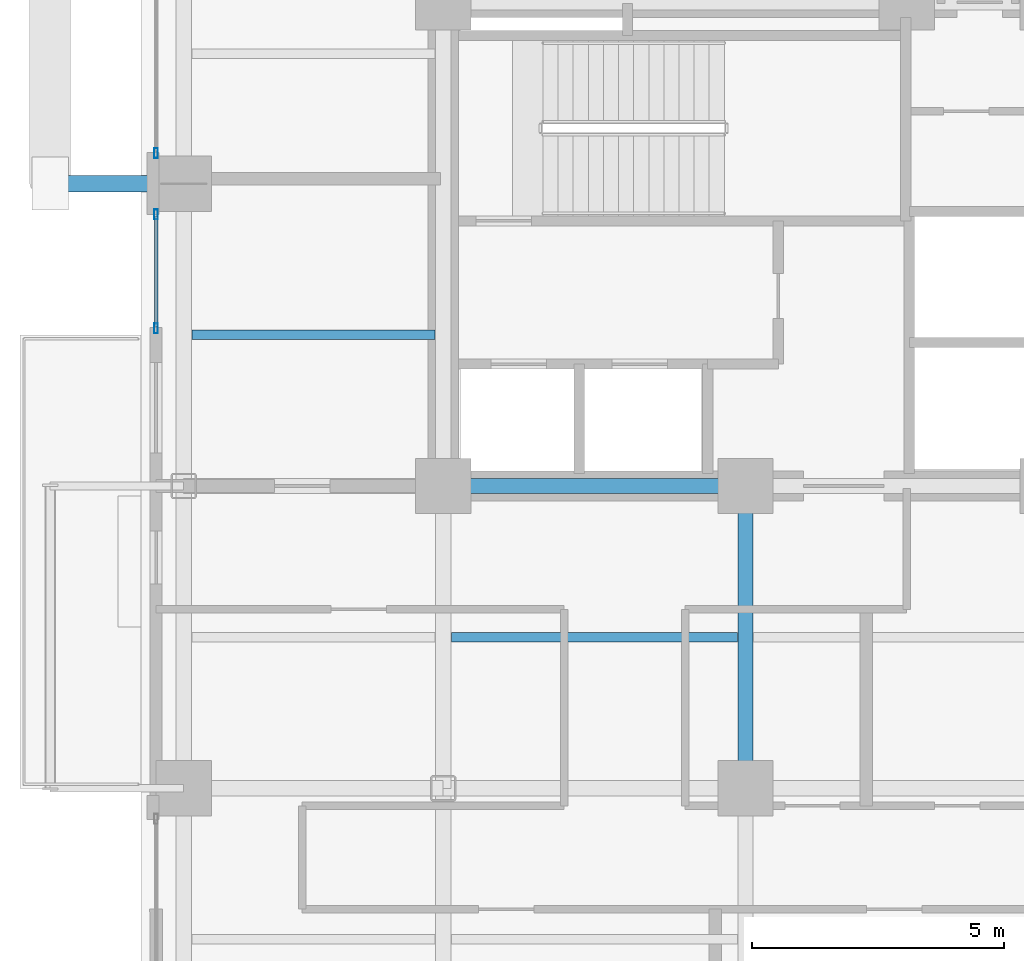
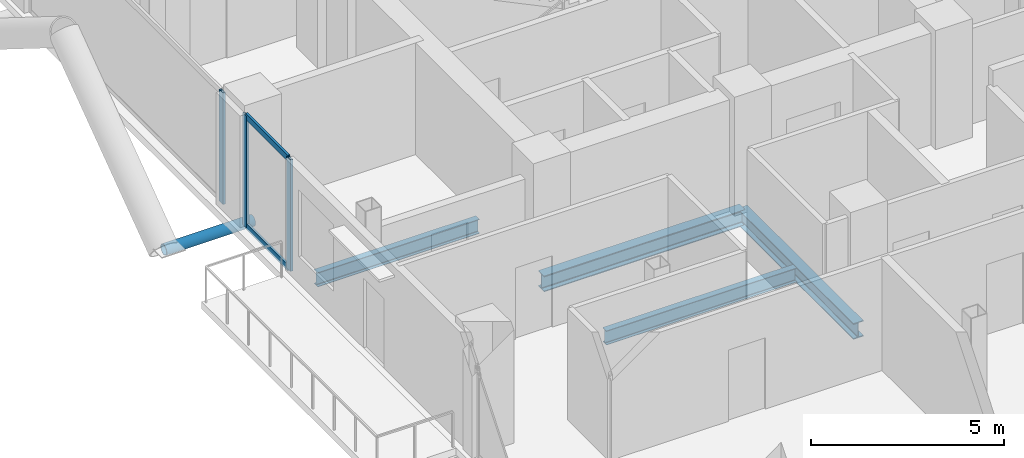
# One storey, part 6 of 24: 6 members, 4 beams, 2 elements without a shape of their own.
"""IFC4 building model written with IfcOpenShell, lengths in metres."""

from ifc_helpers import new_model, si_unit, direction, frame, origin, origin_2d, place, context, subcontext, project, spatial, hollow_rectangle, hollow_circle, i_section, extrude, material, layer, layer_set, material_profile, profile_set, type_object, element, aggregate, save


model = new_model("IFC4")

# Units and contexts
model_context = context("Model", 3, precision=1e-05, world=origin(), true_north=direction((0.0, 1.0)))
body_context = subcontext(model_context, "Body", "Model", "MODEL_VIEW")
ifc_project = project(units=[si_unit("LENGTHUNIT", "METRE"), si_unit("AREAUNIT", "SQUARE_METRE"), si_unit("VOLUMEUNIT", "CUBIC_METRE"), si_unit("PLANEANGLEUNIT", "RADIAN"), si_unit("MASSUNIT", "GRAM", prefix="KILO"), si_unit("THERMODYNAMICTEMPERATUREUNIT", "KELVIN"), si_unit("POWERUNIT", "WATT")], contexts=[model_context])

# Site, building, storey
site_placement = place(None, origin())
site = spatial("IfcSite", under=ifc_project, at=site_placement, CompositionType="ELEMENT")
building_placement = place(site_placement, origin())
building = spatial("IfcBuilding", under=site, at=building_placement, Name="Svarakhadi Broadcast Tower", CompositionType="ELEMENT")
storey_placement = place(building_placement, frame((0.0, 0.0, 130.64990234375)))
storey = spatial("IfcBuildingStorey", under=building, at=storey_placement, Name="L31", CompositionType="ELEMENT", Elevation=130.64990234375)

# Beams
ifc_material_1 = material(Name="Steel S355J2 (IS 2062 E350C)", Category="steel")
ifc_material_profile_1 = material_profile(ifc_material_1, i_section(OverallWidth=0.18994140625, OverallDepth=0.449951171875, WebThickness=0.009521484375, FlangeThickness=0.0146484375, FilletRadius=0.02099609375, at=origin_2d()), Name="NPB 450x190x78")
ifc_profile_set_1 = profile_set([ifc_material_profile_1], Name="Steel S355J2 (IS 2062 E350C)")
beam_type_1 = type_object("IfcBeamType", Name="Beam_NPB450", PredefinedType="BEAM", material=ifc_profile_set_1)
beam_1_placement = place(storey_placement, frame((1.010009765625, 21.0, -0.449951171875), z_axis=(1.0, 0.0, 0.0), x_axis=(0.0, 1.0, 0.0)))
element("IfcBeam", 1, at=beam_1_placement, inside=storey, type_object=beam_type_1, Name="L31 Secondary Composite Beam SB003", PredefinedType="BEAM", context=body_context, shape_type="SweptSolid", body=[
    extrude(i_section(OverallWidth=0.18994140625, OverallDepth=0.449951171875, WebThickness=0.009521484375, FlangeThickness=0.0146484375, FilletRadius=0.02099609375, at=origin_2d()), origin(), (0.0, 0.0, 1.0), 4.830078125),
])
beam_2_placement = place(storey_placement, frame((6.159912109375, 15.0, -0.449951171875), z_axis=(1.0, 0.0, 0.0), x_axis=(0.0, 1.0, 0.0)))
element("IfcBeam", 2, at=beam_2_placement, inside=storey, type_object=beam_type_1, Name="L31 Secondary Composite Beam SB008", PredefinedType="BEAM", context=body_context, shape_type="SweptSolid", body=[
    extrude(i_section(OverallWidth=0.18994140625, OverallDepth=0.449951171875, WebThickness=0.009521484375, FlangeThickness=0.0146484375, FilletRadius=0.02099609375, at=origin_2d()), origin(), (0.0, 0.0, 1.0), 5.68017578125),
])

# Curtain wall, members
ifc_material_2 = material(Name="Anodised Bronze Aluminium AA 6063-T6", Category="aluminium")
ifc_layer = layer(ifc_material_2, 0.199951171875)
ifc_layer_set = layer_set([ifc_layer], Name="Anodised Bronze Aluminium AA 6063-T6")
curtain_wall_type = type_object("IfcCurtainWallType", Name="CW_Sys_03", PredefinedType="NOTDEFINED", material=ifc_layer_set)
curtain_wall_1_placement = place(storey_placement, origin())
curtain_wall_1 = element("IfcCurtainWall", 3, at=curtain_wall_1_placement, inside=storey, type_object=curtain_wall_type, Name="L31 West Curtain Wall 03 Bay 1", PredefinedType="NOTDEFINED")
ifc_material_profile_2 = material_profile(ifc_material_2, hollow_rectangle(XDim=0.074951171875, YDim=0.199951171875, WallThickness=0.005615234375, at=origin_2d()), Name="ALU MULLION 200x75x6")
ifc_profile_set_2 = profile_set([ifc_material_profile_2], Name="Anodised Bronze Aluminium AA 6063-T6")
member_type_1 = type_object("IfcMemberType", Name="CW_Sys_03_Mul", PredefinedType="MULLION", material=ifc_profile_set_2)
member_1_placement = place(storey_placement, frame((0.300048828125, 21.12744140625, 0.0), z_axis=(0.0, 0.0, 1.0), x_axis=(-1.0, 0.0, 0.0)))
member_1 = element("IfcMember", 4, at=member_1_placement, type_object=member_type_1, Name="CW-03 mullion 1", PredefinedType="MULLION", context=body_context, shape_type="SweptSolid", body=[
    extrude(hollow_rectangle(XDim=0.074951171875, YDim=0.199951171875, WallThickness=0.005615234375, at=origin_2d()), origin(), (0.0, 0.0, 1.0), 3.525146484375),
])
member_2_placement = place(storey_placement, frame((0.300048828125, 23.392578125, 0.0), z_axis=(0.0, 0.0, 1.0), x_axis=(-1.0, 0.0, 0.0)))
member_2 = element("IfcMember", 5, at=member_2_placement, type_object=member_type_1, Name="CW-03 mullion 2", PredefinedType="MULLION", context=body_context, shape_type="SweptSolid", body=[
    extrude(hollow_rectangle(XDim=0.074951171875, YDim=0.199951171875, WallThickness=0.005615234375, at=origin_2d()), origin(), (0.0, 0.0, 1.0), 3.525146484375),
])

# Curtain wall, member
curtain_wall_2_placement = place(storey_placement, origin())
curtain_wall_2 = element("IfcCurtainWall", 6, at=curtain_wall_2_placement, inside=storey, type_object=curtain_wall_type, Name="L31 West Curtain Wall 03 Bay 2", PredefinedType="NOTDEFINED")
member_3_placement = place(storey_placement, frame((0.300048828125, 24.607421875, 0.0), z_axis=(0.0, 0.0, 1.0), x_axis=(-1.0, 0.0, 0.0)))
member_3 = element("IfcMember", 7, at=member_3_placement, type_object=member_type_1, Name="CW-03 mullion 1", PredefinedType="MULLION", context=body_context, shape_type="SweptSolid", body=[
    extrude(hollow_rectangle(XDim=0.074951171875, YDim=0.199951171875, WallThickness=0.005615234375, at=origin_2d()), origin(), (0.0, 0.0, 1.0), 3.525146484375),
])
aggregate(curtain_wall_2, [member_3])

# Member
ifc_material_profile_3 = material_profile(ifc_material_2, hollow_rectangle(XDim=0.070068359375, YDim=0.18505859375, WallThickness=0.0048828125, at=origin_2d()), Name="ALU TRANSOM 185x70x5")
ifc_profile_set_3 = profile_set([ifc_material_profile_3], Name="Anodised Bronze Aluminium AA 6063-T6")
member_type_2 = type_object("IfcMemberType", Name="CW_Sys_03_Trn", PredefinedType="USERDEFINED", material=ifc_profile_set_3)
member_4_placement = place(storey_placement, frame((0.300048828125, 21.1650390625, 0.03515625), z_axis=(0.0, 1.0, 0.0), x_axis=(-1.0, 0.0, 0.0)))
member_4 = element("IfcMember", 8, at=member_4_placement, type_object=member_type_2, Name="CW-03 transom 1.1", ObjectType="TRANSOM", PredefinedType="USERDEFINED", context=body_context, shape_type="SweptSolid", body=[
    extrude(hollow_rectangle(XDim=0.070068359375, YDim=0.18505859375, WallThickness=0.0048828125, at=origin_2d()), origin(), (0.0, 0.0, 1.0), 2.18994140625),
])

member_5_placement = place(storey_placement, frame((0.300048828125, 21.1650390625, 3.489990234375), z_axis=(0.0, 1.0, 0.0), x_axis=(-1.0, 0.0, 0.0)))
member_5 = element("IfcMember", 9, at=member_5_placement, type_object=member_type_2, Name="CW-03 transom 1.2", ObjectType="TRANSOM", PredefinedType="USERDEFINED", context=body_context, shape_type="SweptSolid", body=[
    extrude(hollow_rectangle(XDim=0.070068359375, YDim=0.18505859375, WallThickness=0.0048828125, at=origin_2d()), origin(), (0.0, 0.0, 1.0), 2.18994140625),
])

aggregate(curtain_wall_1, [member_1, member_2, member_4, member_5])

ifc_material_3 = material(Name="Steel S460ML (IS 2062 E450BR)", Category="steel")
ifc_material_profile_4 = material_profile(ifc_material_3, hollow_circle(Radius=0.161865234375, WallThickness=0.01611328125, at=origin_2d()), Name="CHS 323.9x16")
ifc_profile_set_4 = profile_set([ifc_material_profile_4], Name="Steel S460ML (IS 2062 E450BR)")
member_type_3 = type_object("IfcMemberType", Name="Exo_Radial_Strut_Z2", PredefinedType="STRUT", material=ifc_profile_set_4)
member_6_placement = place(storey_placement, frame((-1.800048828125, 24.0, -0.386962890625), z_axis=(1.0, 0.0, 0.0), x_axis=(0.0, 1.0, 0.0)))
element("IfcMember", 10, at=member_6_placement, inside=storey, type_object=member_type_3, Name="L31 Exoskeleton Radial Tie Strut W03", PredefinedType="STRUT", context=body_context, shape_type="SweptSolid", body=[
    extrude(hollow_circle(Radius=0.161865234375, WallThickness=0.01611328125, at=origin_2d()), origin(), (0.0, 0.0, 1.0), 2.650146484375),
])

# Beams
ifc_material_profile_5 = material_profile(ifc_material_1, i_section(OverallWidth=0.300048828125, OverallDepth=0.5, WebThickness=0.014404296875, FlangeThickness=0.028076171875, FilletRadius=0.027099609375, at=origin_2d()), Name="WPB 500x300x187")
ifc_profile_set_5 = profile_set([ifc_material_profile_5], Name="Steel S355J2 (IS 2062 E350C)")
beam_type_2 = type_object("IfcBeamType", Name="Girder_WPB500", PredefinedType="USERDEFINED", material=ifc_profile_set_5)
for number, where, z_axis, x_axis, name in (
    (11, (6.0, 18.0, -0.474853515625), (1.0, 0.0, 0.0), (0.0, 1.0, 0.0), "L31 Primary E-W Girder G024"),
    (12, (12.0, 12.0, -0.474853515625), (0.0, 1.0, 0.0), (-1.0, 0.0, 0.0), "L31 Primary N-S Girder G053"),
):
    element("IfcBeam", number, at=place(storey_placement, frame(where, z_axis=z_axis, x_axis=x_axis)), inside=storey, type_object=beam_type_2, Name=name, ObjectType="GIRDER", PredefinedType="USERDEFINED", context=body_context, shape_type="SweptSolid", body=[
        extrude(i_section(OverallWidth=0.300048828125, OverallDepth=0.5, WebThickness=0.014404296875, FlangeThickness=0.028076171875, FilletRadius=0.027099609375, at=origin_2d()), origin(), (0.0, 0.0, 1.0), 6.0),
    ])

save(model, "model.ifc")
